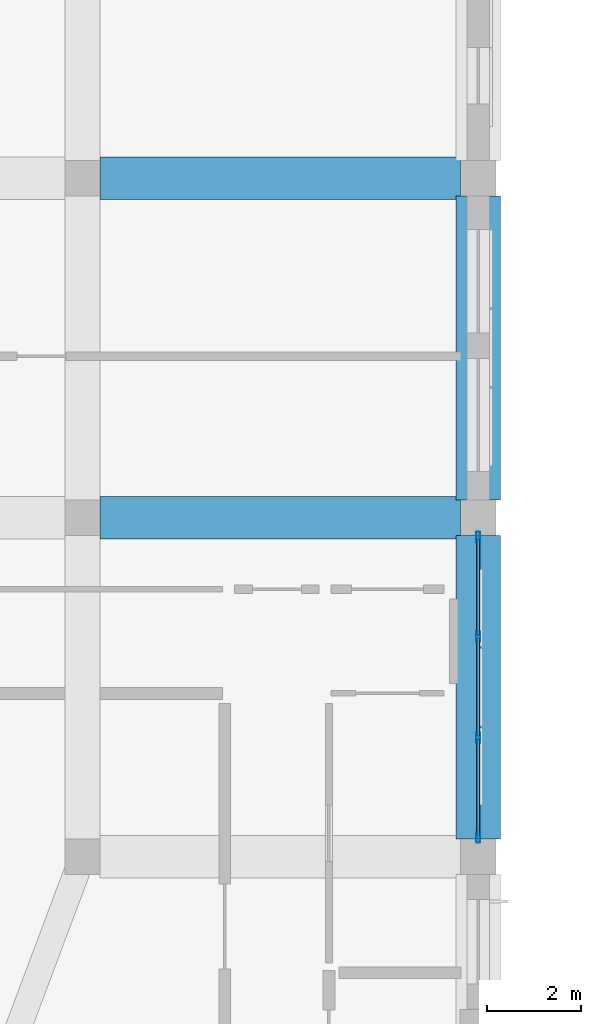
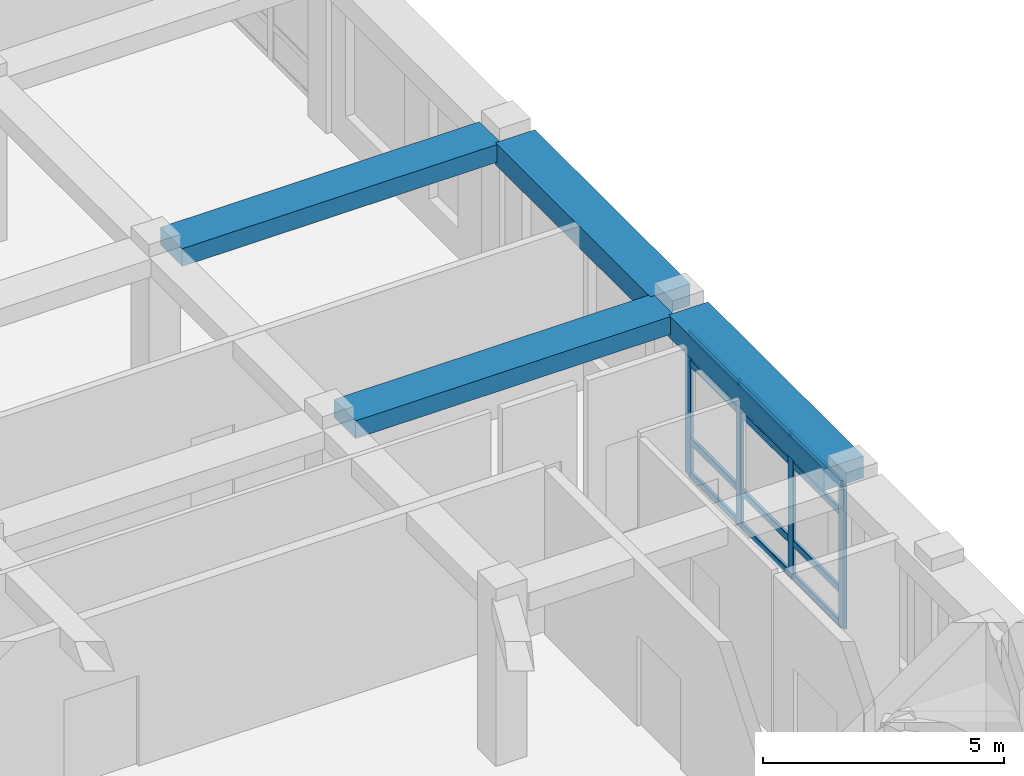
# One storey, part 37 of 111: 16 members, 4 beams, 1 element without a shape of its own.
"""IFC4 building model written with IfcOpenShell, lengths in metres."""

from ifc_helpers import new_model, si_unit, derived_unit, direction, frame, origin, origin_2d, place, context, subcontext, project, spatial, rectangle, hollow_rectangle, extrude, material, material_profile, profile_set, type_object, element, aggregate, save


model = new_model("IFC4")

# Units and contexts
model_context = context("Model", 3, precision=1e-05, world=origin(), true_north=direction((0.0, 1.0)))
body_context = subcontext(model_context, "Body", "Model", "MODEL_VIEW")
ifc_project = project(units=[si_unit("LENGTHUNIT", "METRE"), si_unit("AREAUNIT", "SQUARE_METRE"), si_unit("VOLUMEUNIT", "CUBIC_METRE"), si_unit("PLANEANGLEUNIT", "RADIAN"), si_unit("MASSUNIT", "GRAM", prefix="KILO"), derived_unit("THERMALTRANSMITTANCEUNIT", [(si_unit("POWERUNIT", "WATT"), 1), (si_unit("LENGTHUNIT", "METRE"), -2), (si_unit("THERMODYNAMICTEMPERATUREUNIT", "KELVIN"), -1)])], contexts=[model_context])

# Site, building, storey
site_placement = place(None, origin())
site = spatial("IfcSite", under=ifc_project, at=site_placement, CompositionType="ELEMENT")
building_placement = place(site_placement, origin())
building = spatial("IfcBuilding", under=site, at=building_placement, Name="Veybourne Emporium", CompositionType="ELEMENT")
storey_placement = place(building_placement, frame((0.0, 0.0, 9.89990234375)))
storey = spatial("IfcBuildingStorey", under=building, at=storey_placement, Name="L02", CompositionType="ELEMENT", Elevation=9.89990234375)

# Curtain wall, members
ifc_material_1 = material(Name="Patinated Architectural Bronze", Category="bronze")
curtain_wall_type = type_object("IfcCurtainWallType", Name="CWSystem_CWS-22", PredefinedType="NOTDEFINED", material=ifc_material_1)
curtain_wall_placement = place(storey_placement, origin())
curtain_wall = element("IfcCurtainWall", 1, at=curtain_wall_placement, inside=storey, type_object=curtain_wall_type, Name="L02 bronze glazed curtain wall CWS-22 (054)", PredefinedType="NOTDEFINED")
ifc_material_profile_1 = material_profile(ifc_material_1, hollow_rectangle(XDim=0.074951171875, YDim=0.22998046875, WallThickness=0.0048828125, InnerFilletRadius=0.007568359375, OuterFilletRadius=0.012451171875, at=origin_2d()), Name="CWM 75x230x5")
ifc_profile_set_1 = profile_set([ifc_material_profile_1], Name="Patinated Architectural Bronze")
member_type_1 = type_object("IfcMemberType", Name="CWMullion_CW-M2", PredefinedType="MULLION", material=ifc_profile_set_1)
member_1_placement = place(storey_placement, frame((100.800048828125, 71.58740234375, 0.0), z_axis=(0.0, 0.0, 1.0), x_axis=(1.0, 0.0, 0.0)))
member_1 = element("IfcMember", 2, at=member_1_placement, type_object=member_type_1, Name="CWS-22 mullion 1", PredefinedType="MULLION", context=body_context, shape_type="SweptSolid", body=[
    extrude(hollow_rectangle(XDim=0.074951171875, YDim=0.22998046875, WallThickness=0.0048828125, InnerFilletRadius=0.007568359375, OuterFilletRadius=0.012451171875, at=origin_2d()), origin(), (0.0, 0.0, 1.0), 3.630126953125),
])
member_2_placement = place(storey_placement, frame((100.800048828125, 69.47509765625, 0.0), z_axis=(0.0, 0.0, 1.0), x_axis=(1.0, 0.0, 0.0)))
member_2 = element("IfcMember", 3, at=member_2_placement, type_object=member_type_1, Name="CWS-22 mullion 2", PredefinedType="MULLION", context=body_context, shape_type="SweptSolid", body=[
    extrude(hollow_rectangle(XDim=0.074951171875, YDim=0.22998046875, WallThickness=0.0048828125, InnerFilletRadius=0.007568359375, OuterFilletRadius=0.012451171875, at=origin_2d()), origin(), (0.0, 0.0, 1.0), 3.630126953125),
])
member_3_placement = place(storey_placement, frame((100.800048828125, 67.324951171875, 0.0), z_axis=(0.0, 0.0, 1.0), x_axis=(1.0, 0.0, 0.0)))
member_3 = element("IfcMember", 4, at=member_3_placement, type_object=member_type_1, Name="CWS-22 mullion 3", PredefinedType="MULLION", context=body_context, shape_type="SweptSolid", body=[
    extrude(hollow_rectangle(XDim=0.074951171875, YDim=0.22998046875, WallThickness=0.0048828125, InnerFilletRadius=0.007568359375, OuterFilletRadius=0.012451171875, at=origin_2d()), origin(), (0.0, 0.0, 1.0), 3.630126953125),
])
member_4_placement = place(storey_placement, frame((100.800048828125, 65.21240234375, 0.0), z_axis=(0.0, 0.0, 1.0), x_axis=(1.0, 0.0, 0.0)))
member_4 = element("IfcMember", 5, at=member_4_placement, type_object=member_type_1, Name="CWS-22 mullion 4", PredefinedType="MULLION", context=body_context, shape_type="SweptSolid", body=[
    extrude(hollow_rectangle(XDim=0.074951171875, YDim=0.22998046875, WallThickness=0.0048828125, InnerFilletRadius=0.007568359375, OuterFilletRadius=0.012451171875, at=origin_2d()), origin(), (0.0, 0.0, 1.0), 3.630126953125),
])
ifc_material_profile_2 = material_profile(ifc_material_1, hollow_rectangle(XDim=0.074951171875, YDim=0.179931640625, WallThickness=0.0048828125, InnerFilletRadius=0.007568359375, OuterFilletRadius=0.012451171875, at=origin_2d()), Name="CWT 75x180x5")
ifc_profile_set_2 = profile_set([ifc_material_profile_2], Name="Patinated Architectural Bronze")
member_type_2 = type_object("IfcMemberType", Name="CWTransom_CW-T2", PredefinedType="NOTDEFINED", material=ifc_profile_set_2)
member_5_placement = place(storey_placement, frame((100.800048828125, 71.550048828125, 0.03759765625), z_axis=(0.0, -1.0, 0.0), x_axis=(1.0, 0.0, 0.0)))
member_5 = element("IfcMember", 6, at=member_5_placement, type_object=member_type_2, Name="CWS-22 transom 1.1", ObjectType="TRANSOM", PredefinedType="USERDEFINED", context=body_context, shape_type="SweptSolid", body=[
    extrude(hollow_rectangle(XDim=0.074951171875, YDim=0.179931640625, WallThickness=0.0048828125, InnerFilletRadius=0.007568359375, OuterFilletRadius=0.012451171875, at=origin_2d()), origin(), (0.0, 0.0, 1.0), 2.03759765625),
])
member_6_placement = place(storey_placement, frame((100.800048828125, 71.550048828125, 0.900146484375), z_axis=(0.0, -1.0, 0.0), x_axis=(1.0, 0.0, 0.0)))
member_6 = element("IfcMember", 7, at=member_6_placement, type_object=member_type_2, Name="CWS-22 transom 1.2", ObjectType="TRANSOM", PredefinedType="USERDEFINED", context=body_context, shape_type="SweptSolid", body=[
    extrude(hollow_rectangle(XDim=0.074951171875, YDim=0.179931640625, WallThickness=0.0048828125, InnerFilletRadius=0.007568359375, OuterFilletRadius=0.012451171875, at=origin_2d()), origin(), (0.0, 0.0, 1.0), 2.03759765625),
])
member_7_placement = place(storey_placement, frame((100.800048828125, 71.550048828125, 2.880126953125), z_axis=(0.0, -1.0, 0.0), x_axis=(1.0, 0.0, 0.0)))
member_7 = element("IfcMember", 8, at=member_7_placement, type_object=member_type_2, Name="CWS-22 transom 1.3", ObjectType="TRANSOM", PredefinedType="USERDEFINED", context=body_context, shape_type="SweptSolid", body=[
    extrude(hollow_rectangle(XDim=0.074951171875, YDim=0.179931640625, WallThickness=0.0048828125, InnerFilletRadius=0.007568359375, OuterFilletRadius=0.012451171875, at=origin_2d()), origin(), (0.0, 0.0, 1.0), 2.03759765625),
])
member_8_placement = place(storey_placement, frame((100.800048828125, 71.550048828125, 3.592529296875), z_axis=(0.0, -1.0, 0.0), x_axis=(1.0, 0.0, 0.0)))
member_8 = element("IfcMember", 9, at=member_8_placement, type_object=member_type_2, Name="CWS-22 transom 1.4", ObjectType="TRANSOM", PredefinedType="USERDEFINED", context=body_context, shape_type="SweptSolid", body=[
    extrude(hollow_rectangle(XDim=0.074951171875, YDim=0.179931640625, WallThickness=0.0048828125, InnerFilletRadius=0.007568359375, OuterFilletRadius=0.012451171875, at=origin_2d()), origin(), (0.0, 0.0, 1.0), 2.03759765625),
])
member_9_placement = place(storey_placement, frame((100.800048828125, 69.4375, 0.03759765625), z_axis=(0.0, -1.0, 0.0), x_axis=(1.0, 0.0, 0.0)))
member_9 = element("IfcMember", 10, at=member_9_placement, type_object=member_type_2, Name="CWS-22 transom 2.1", ObjectType="TRANSOM", PredefinedType="USERDEFINED", context=body_context, shape_type="SweptSolid", body=[
    extrude(hollow_rectangle(XDim=0.074951171875, YDim=0.179931640625, WallThickness=0.0048828125, InnerFilletRadius=0.007568359375, OuterFilletRadius=0.012451171875, at=origin_2d()), origin(), (0.0, 0.0, 1.0), 2.074951171875),
])
member_10_placement = place(storey_placement, frame((100.800048828125, 69.4375, 0.900146484375), z_axis=(0.0, -1.0, 0.0), x_axis=(1.0, 0.0, 0.0)))
member_10 = element("IfcMember", 11, at=member_10_placement, type_object=member_type_2, Name="CWS-22 transom 2.2", ObjectType="TRANSOM", PredefinedType="USERDEFINED", context=body_context, shape_type="SweptSolid", body=[
    extrude(hollow_rectangle(XDim=0.074951171875, YDim=0.179931640625, WallThickness=0.0048828125, InnerFilletRadius=0.007568359375, OuterFilletRadius=0.012451171875, at=origin_2d()), origin(), (0.0, 0.0, 1.0), 2.074951171875),
])
member_11_placement = place(storey_placement, frame((100.800048828125, 69.4375, 2.880126953125), z_axis=(0.0, -1.0, 0.0), x_axis=(1.0, 0.0, 0.0)))
member_11 = element("IfcMember", 12, at=member_11_placement, type_object=member_type_2, Name="CWS-22 transom 2.3", ObjectType="TRANSOM", PredefinedType="USERDEFINED", context=body_context, shape_type="SweptSolid", body=[
    extrude(hollow_rectangle(XDim=0.074951171875, YDim=0.179931640625, WallThickness=0.0048828125, InnerFilletRadius=0.007568359375, OuterFilletRadius=0.012451171875, at=origin_2d()), origin(), (0.0, 0.0, 1.0), 2.074951171875),
])
member_12_placement = place(storey_placement, frame((100.800048828125, 69.4375, 3.592529296875), z_axis=(0.0, -1.0, 0.0), x_axis=(1.0, 0.0, 0.0)))
member_12 = element("IfcMember", 13, at=member_12_placement, type_object=member_type_2, Name="CWS-22 transom 2.4", ObjectType="TRANSOM", PredefinedType="USERDEFINED", context=body_context, shape_type="SweptSolid", body=[
    extrude(hollow_rectangle(XDim=0.074951171875, YDim=0.179931640625, WallThickness=0.0048828125, InnerFilletRadius=0.007568359375, OuterFilletRadius=0.012451171875, at=origin_2d()), origin(), (0.0, 0.0, 1.0), 2.074951171875),
])
member_13_placement = place(storey_placement, frame((100.800048828125, 67.28759765625, 0.03759765625), z_axis=(0.0, -1.0, 0.0), x_axis=(1.0, 0.0, 0.0)))
member_13 = element("IfcMember", 14, at=member_13_placement, type_object=member_type_2, Name="CWS-22 transom 3.1", ObjectType="TRANSOM", PredefinedType="USERDEFINED", context=body_context, shape_type="SweptSolid", body=[
    extrude(hollow_rectangle(XDim=0.074951171875, YDim=0.179931640625, WallThickness=0.0048828125, InnerFilletRadius=0.007568359375, OuterFilletRadius=0.012451171875, at=origin_2d()), origin(), (0.0, 0.0, 1.0), 2.03759765625),
])
member_14_placement = place(storey_placement, frame((100.800048828125, 67.28759765625, 0.900146484375), z_axis=(0.0, -1.0, 0.0), x_axis=(1.0, 0.0, 0.0)))
member_14 = element("IfcMember", 15, at=member_14_placement, type_object=member_type_2, Name="CWS-22 transom 3.2", ObjectType="TRANSOM", PredefinedType="USERDEFINED", context=body_context, shape_type="SweptSolid", body=[
    extrude(hollow_rectangle(XDim=0.074951171875, YDim=0.179931640625, WallThickness=0.0048828125, InnerFilletRadius=0.007568359375, OuterFilletRadius=0.012451171875, at=origin_2d()), origin(), (0.0, 0.0, 1.0), 2.03759765625),
])
member_15_placement = place(storey_placement, frame((100.800048828125, 67.28759765625, 2.880126953125), z_axis=(0.0, -1.0, 0.0), x_axis=(1.0, 0.0, 0.0)))
member_15 = element("IfcMember", 16, at=member_15_placement, type_object=member_type_2, Name="CWS-22 transom 3.3", ObjectType="TRANSOM", PredefinedType="USERDEFINED", context=body_context, shape_type="SweptSolid", body=[
    extrude(hollow_rectangle(XDim=0.074951171875, YDim=0.179931640625, WallThickness=0.0048828125, InnerFilletRadius=0.007568359375, OuterFilletRadius=0.012451171875, at=origin_2d()), origin(), (0.0, 0.0, 1.0), 2.03759765625),
])
member_16_placement = place(storey_placement, frame((100.800048828125, 67.28759765625, 3.592529296875), z_axis=(0.0, -1.0, 0.0), x_axis=(1.0, 0.0, 0.0)))
member_16 = element("IfcMember", 17, at=member_16_placement, type_object=member_type_2, Name="CWS-22 transom 3.4", ObjectType="TRANSOM", PredefinedType="USERDEFINED", context=body_context, shape_type="SweptSolid", body=[
    extrude(hollow_rectangle(XDim=0.074951171875, YDim=0.179931640625, WallThickness=0.0048828125, InnerFilletRadius=0.007568359375, OuterFilletRadius=0.012451171875, at=origin_2d()), origin(), (0.0, 0.0, 1.0), 2.03759765625),
])
aggregate(curtain_wall, [member_1, member_2, member_3, member_4, member_5, member_6, member_7, member_8, member_9, member_10, member_11, member_12, member_13, member_14, member_15, member_16])

# Beams
ifc_material_2 = material(Name="Concrete C32/40", Category="concrete")
ifc_material_profile_3 = material_profile(ifc_material_2, rectangle(XDim=0.89990234375, YDim=0.449951171875, at=origin_2d()), Name="RC 900x450")
ifc_profile_set_3 = profile_set([ifc_material_profile_3], Name="Concrete C32/40")
beam_type_1 = type_object("IfcBeamType", Name="RCBeam_BB-03", PredefinedType="BEAM", material=ifc_profile_set_3)
for number, where, z_axis, x_axis, name in (
    (18, (92.77490234375, 72.0, 3.955078125), (1.0, 0.0, 0.0), (0.0, 1.0, 0.0), "L02 X-grid beam BB-03 (11,10)"),
    (19, (92.77490234375, 79.199951171875, 3.955078125), (1.0, 0.0, 0.0), (0.0, 1.0, 0.0), "L02 X-grid beam BB-03 (11,11)"),
):
    element("IfcBeam", number, at=place(storey_placement, frame(where, z_axis=z_axis, x_axis=x_axis)), inside=storey, type_object=beam_type_1, Name=name, PredefinedType="BEAM", context=body_context, shape_type="SweptSolid", body=[
        extrude(rectangle(XDim=0.89990234375, YDim=0.449951171875, at=origin_2d()), origin(), (0.0, 0.0, 1.0), 7.650146484375),
    ])
ifc_material_profile_4 = material_profile(ifc_material_2, rectangle(XDim=0.949951171875, YDim=0.550048828125, at=origin_2d()), Name="RC 950x550")
ifc_profile_set_4 = profile_set([ifc_material_profile_4], Name="Concrete C32/40")
beam_type_2 = type_object("IfcBeamType", Name="RCBeam_EB-01", PredefinedType="SPANDREL", material=ifc_profile_set_4)
for number, where, z_axis, x_axis, name in (
    (20, (100.800048828125, 65.175048828125, 3.905029296875), (0.0, 1.0, 0.0), (-1.0, 0.0, 0.0), "L02 Y-grid beam EB-01 (12,9)"),
    (21, (100.800048828125, 72.375, 3.905029296875), (0.0, 1.0, 0.0), (-1.0, 0.0, 0.0), "L02 Y-grid beam EB-01 (12,10)"),
):
    element("IfcBeam", number, at=place(storey_placement, frame(where, z_axis=z_axis, x_axis=x_axis)), inside=storey, type_object=beam_type_2, Name=name, PredefinedType="SPANDREL", context=body_context, shape_type="SweptSolid", body=[
        extrude(rectangle(XDim=0.949951171875, YDim=0.550048828125, at=origin_2d()), origin(), (0.0, 0.0, 1.0), 6.449951171875),
    ])

save(model, "model.ifc")
